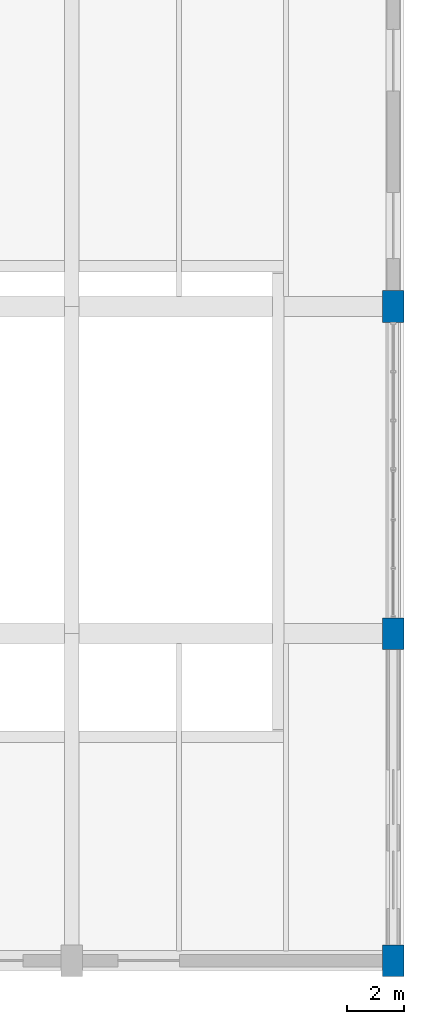
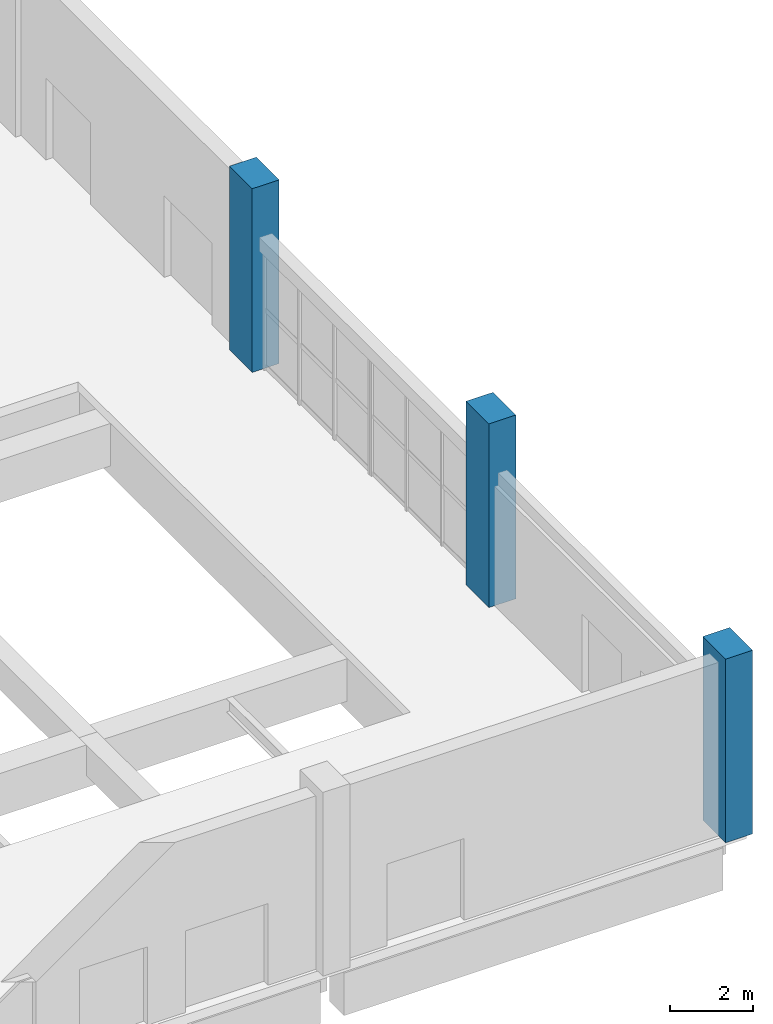
# One storey, part 18 of 113: 3 columns.
"""IFC4 building model written with IfcOpenShell, lengths in metres."""

import ifcopenshell
import ifcopenshell.guid

model = None  # the IFC model being written
_history = None  # IfcOwnerHistory: only IFC2X3 demands one
_inside = {}  # id of a spatial element -> (the spatial element, [elements in it])
_under = {}  # id of a project, library or spatial element -> (it, [spatial elements below it])
_declared = {}  # id of a project -> (the project, [libraries it declares])
_typed = {}  # id of a type object -> (the type object, [elements of that type])
_made_of = {}  # id of a material, layer set ... -> (it, [elements and type objects made of it])


def new_model(schema):
    """Start an empty IFC model of exactly this schema.

    Asked for "IFC4X3", IfcOpenShell would pick the latest addendum, in which some entities
    have other attributes; the version numbers below select the first issue.
    IFC2X3 requires an IfcOwnerHistory on every rooted entity: one is made here for all.
    """
    global model, _history
    if schema == "IFC4X3":
        model = ifcopenshell.file(schema_version=(4, 3, 0, 0))
    else:
        model = ifcopenshell.file(schema=schema)
    _inside.clear()
    _under.clear()
    _declared.clear()
    _typed.clear()
    _made_of.clear()
    _history = None
    if model.schema == "IFC2X3":
        org = make("IfcOrganization", Name="unknown")
        user = make(
            "IfcPersonAndOrganization",
            ThePerson=make("IfcPerson", FamilyName="unknown"),
            TheOrganization=org,
        )
        app = make(
            "IfcApplication",
            ApplicationDeveloper=org,
            Version="unknown",
            ApplicationFullName="unknown",
            ApplicationIdentifier="unknown",
        )
        _history = make(
            "IfcOwnerHistory",
            OwningUser=user,
            OwningApplication=app,
            ChangeAction="ADDED",
            CreationDate=0,
        )
    return model


def make(cls, **values):
    """One entity of the class cls with the attributes given. An attribute that is None is left unset."""
    return model.create_entity(
        cls, **{name: value for name, value in values.items() if value is not None}
    )


def rooted(cls, **values):
    """An entity with a GlobalId (a new one), such as an element, a storey or a relation."""
    return make(cls, GlobalId=ifcopenshell.guid.new(), OwnerHistory=_history, **values)


def si_unit(unit_type, name, prefix=None):
    """IfcSIUnit, for example si_unit("LENGTHUNIT", "METRE", prefix="MILLI")."""
    return make("IfcSIUnit", UnitType=unit_type, Prefix=prefix, Name=name)


def assignment(units):
    """IfcUnitAssignment: the units of a project."""
    return None if units is None else make("IfcUnitAssignment", Units=units)


def point(xyz):
    """IfcCartesianPoint."""
    return None if xyz is None else make("IfcCartesianPoint", Coordinates=xyz)


def direction(xyz):
    """IfcDirection."""
    return None if xyz is None else make("IfcDirection", DirectionRatios=xyz)


def frame(location, z_axis=None, x_axis=None):
    """IfcAxis2Placement3D, a coordinate frame: its origin and axes. An axis left out is left unset."""
    return make(
        "IfcAxis2Placement3D",
        Location=point(location),
        Axis=direction(z_axis),
        RefDirection=direction(x_axis),
    )


def frame_2d(location, x_axis=None):
    """IfcAxis2Placement2D, a coordinate frame in the plane: its origin and x axis."""
    return make(
        "IfcAxis2Placement2D", Location=point(location), RefDirection=direction(x_axis)
    )


def origin():
    """The frame at (0, 0, 0) with its axes left unset."""
    return frame((0.0, 0.0, 0.0))


def origin_2d():
    """The frame at (0, 0) in the plane with its x axis left unset."""
    return frame_2d((0.0, 0.0))


def place(relative_to, where):
    """IfcLocalPlacement: puts the frame where relative to a parent placement (None: the world)."""
    return make(
        "IfcLocalPlacement", PlacementRelTo=relative_to, RelativePlacement=where
    )


def context(
    kind, dimensions, precision=None, world=None, true_north=None, identifier=None
):
    """IfcGeometricRepresentationContext, for example the 3D "Model" context."""
    return make(
        "IfcGeometricRepresentationContext",
        ContextIdentifier=identifier,
        ContextType=kind,
        CoordinateSpaceDimension=dimensions,
        Precision=precision,
        WorldCoordinateSystem=world,
        TrueNorth=true_north,
    )


def subcontext(parent, identifier, kind, view, scale=None):
    """IfcGeometricRepresentationSubContext, for example "Body" below "Model"."""
    return make(
        "IfcGeometricRepresentationSubContext",
        ContextIdentifier=identifier,
        ContextType=kind,
        ParentContext=parent,
        TargetScale=scale,
        TargetView=view,
    )


def project(units=None, contexts=None):
    """IfcProject with its units and contexts."""
    return rooted(
        "IfcProject",
        Name="project",
        RepresentationContexts=contexts,
        UnitsInContext=assignment(units),
    )


def spatial(cls, under=None, at=None, **own):
    """A site, building, storey or space (cls), placed at a placement, below another one or the project."""
    s = rooted(cls, ObjectPlacement=at, **own)
    if under is not None:
        _under.setdefault(under.id(), (under, []))[1].append(s)
    return s


def profile(cls, at=None, kind="AREA", **sizes):
    """A parametric profile (cls). Its sizes go by their IFC names, for example OverallWidth=200.0."""
    return make(cls, ProfileType=kind, Position=at, **sizes)


def rectangle(**sizes):
    """IfcRectangleProfileDef."""
    return profile("IfcRectangleProfileDef", **sizes)


def extrude(swept, where, along, depth):
    """IfcExtrudedAreaSolid: the profile swept, set in the frame where, extruded along a direction by depth."""
    return make(
        "IfcExtrudedAreaSolid",
        SweptArea=swept,
        Position=where,
        ExtrudedDirection=direction(along),
        Depth=depth,
    )


def shape(context_of_items, identifier, shape_type, items):
    """IfcShapeRepresentation: the items that make up one representation, for example the "Body"."""
    return make(
        "IfcShapeRepresentation",
        ContextOfItems=context_of_items,
        RepresentationIdentifier=identifier,
        RepresentationType=shape_type,
        Items=items,
    )


def material(Name=None, Category=None):
    """IfcMaterial."""
    return make("IfcMaterial", Name=Name, Category=Category)


def material_profile(
    of_material, cross_section, Name=None, Category=None, Priority=None
):
    """IfcMaterialProfile: a cross section and its material."""
    return make(
        "IfcMaterialProfile",
        Name=Name,
        Material=of_material,
        Profile=cross_section,
        Priority=Priority,
        Category=Category,
    )


def profile_set(profiles, Name=None, composite=None):
    """IfcMaterialProfileSet."""
    return make(
        "IfcMaterialProfileSet",
        Name=Name,
        MaterialProfiles=profiles,
        CompositeProfile=composite,
    )


def made_of(thing, what):
    """Note that an element or type object is made of a material, layer set ...; save() writes the relation."""
    if what is not None:
        _made_of.setdefault(what.id(), (what, []))[1].append(thing)
    return thing


def type_object(cls, material=None, **own):
    """A type object (cls), such as IfcWallType, which elements share."""
    return made_of(rooted(cls, **own), material)


def element(
    cls,
    number,
    at=None,
    inside=None,
    cuts=None,
    type_object=None,
    material=None,
    context=None,
    identifier="Body",
    shape_type=None,
    held_by="IfcProductDefinitionShape",
    body=None,
    shapes=None,
    **own,
):
    """One element of the class cls, such as IfcWall. Its Tag is "e" and its number.

    at: its placement. inside: the storey or other place that contains it. cuts: it is an
    opening in that element (IfcRelVoidsElement). A single representation is given by context,
    identifier, shape_type and body (its items); several are given by shapes. held_by: the class
    of the entity that holds the representations. save() writes the other relations.
    """
    e = rooted(cls, Tag="e%d" % number, ObjectPlacement=at, **own)
    if body is not None:
        shapes = [shape(context, identifier, shape_type, body)]
    if shapes is not None:
        e.Representation = make(held_by, Representations=shapes)
    if inside is not None:
        _inside.setdefault(inside.id(), (inside, []))[1].append(e)
    if cuts is not None:
        rooted(
            "IfcRelVoidsElement", RelatingBuildingElement=cuts, RelatedOpeningElement=e
        )
    if type_object is not None:
        _typed.setdefault(type_object.id(), (type_object, []))[1].append(e)
    return made_of(e, material)


def aggregate(whole, parts):
    """IfcRelAggregates: a whole, such as a stair, and the parts it consists of."""
    return rooted("IfcRelAggregates", RelatingObject=whole, RelatedObjects=parts)


def save(model, path):
    """Write the relations noted so far, then the file.

    IfcRelAggregates (storeys below a building ...), IfcRelContainedInSpatialStructure (elements
    in a storey), IfcRelDefinesByType, IfcRelAssociatesMaterial and IfcRelDeclares: one each for
    every whole, place, type object, material and project.
    """
    for whole, parts in _under.values():
        aggregate(whole, parts)
    for where, things in _inside.values():
        rooted(
            "IfcRelContainedInSpatialStructure",
            RelatedElements=things,
            RelatingStructure=where,
        )
    for kind, things in _typed.values():
        rooted("IfcRelDefinesByType", RelatedObjects=things, RelatingType=kind)
    for what, things in _made_of.values():
        rooted("IfcRelAssociatesMaterial", RelatedObjects=things, RelatingMaterial=what)
    for by, libraries in _declared.values():
        rooted("IfcRelDeclares", RelatingContext=by, RelatedDefinitions=libraries)
    model.write(path)


model = new_model("IFC4")

# Units and contexts
model_context = context("Model", 3, precision=1e-05, world=origin(), true_north=direction((0.0, 1.0)))
body_context = subcontext(model_context, "Body", "Model", "MODEL_VIEW")
ifc_project = project(units=[si_unit("LENGTHUNIT", "METRE"), si_unit("AREAUNIT", "SQUARE_METRE"), si_unit("VOLUMEUNIT", "CUBIC_METRE"), si_unit("PLANEANGLEUNIT", "RADIAN"), si_unit("MASSUNIT", "GRAM", prefix="KILO"), si_unit("POWERUNIT", "WATT"), si_unit("THERMODYNAMICTEMPERATUREUNIT", "KELVIN")], contexts=[model_context])

# Site, building, storey
site_placement = place(None, origin())
site = spatial("IfcSite", under=ifc_project, at=site_placement, CompositionType="ELEMENT")
building_placement = place(site_placement, origin())
building = spatial("IfcBuilding", under=site, at=building_placement, Name="Kelmbourne Parkland Aquatics Centre", CompositionType="ELEMENT")
storey_placement = place(building_placement, origin())
storey = spatial("IfcBuildingStorey", under=building, at=storey_placement, Name="L00", CompositionType="ELEMENT", Elevation=0.0)

# Columns
ifc_material = material(Name="Concrete C40/50", Category="concrete")
ifc_material_profile = material_profile(ifc_material, rectangle(XDim=0.75, YDim=1.10009765625, at=origin_2d()), Name="RC 750x1100")
ifc_profile_set = profile_set([ifc_material_profile], Name="Concrete C40/50")
column_type = type_object("IfcColumnType", Name="COL-C03", PredefinedType="COLUMN", material=ifc_profile_set)
for number, where, z_axis, x_axis, name in (
    (1, (175.199951171875, 0.800048828125, 0.0), (0.0, 0.0, 1.0), (1.0, 0.0, 0.0), "Structural column T-01 (L00)"),
    (2, (175.199951171875, 12.199951171875, 0.0), (0.0, 0.0, 1.0), (1.0, 0.0, 0.0), "Structural column T-03 (L00)"),
    (3, (175.199951171875, 23.60009765625, 0.0), (0.0, 0.0, 1.0), (1.0, 0.0, 0.0), "Structural column T-04 (L00)"),
):
    element("IfcColumn", number, at=place(storey_placement, frame(where, z_axis=z_axis, x_axis=x_axis)), inside=storey, type_object=column_type, Name=name, PredefinedType="COLUMN", context=body_context, shape_type="SweptSolid", body=[
        extrude(rectangle(XDim=0.75, YDim=1.10009765625, at=origin_2d()), origin(), (0.0, 0.0, 1.0), 5.39990234375),
    ])

save(model, "model.ifc")
